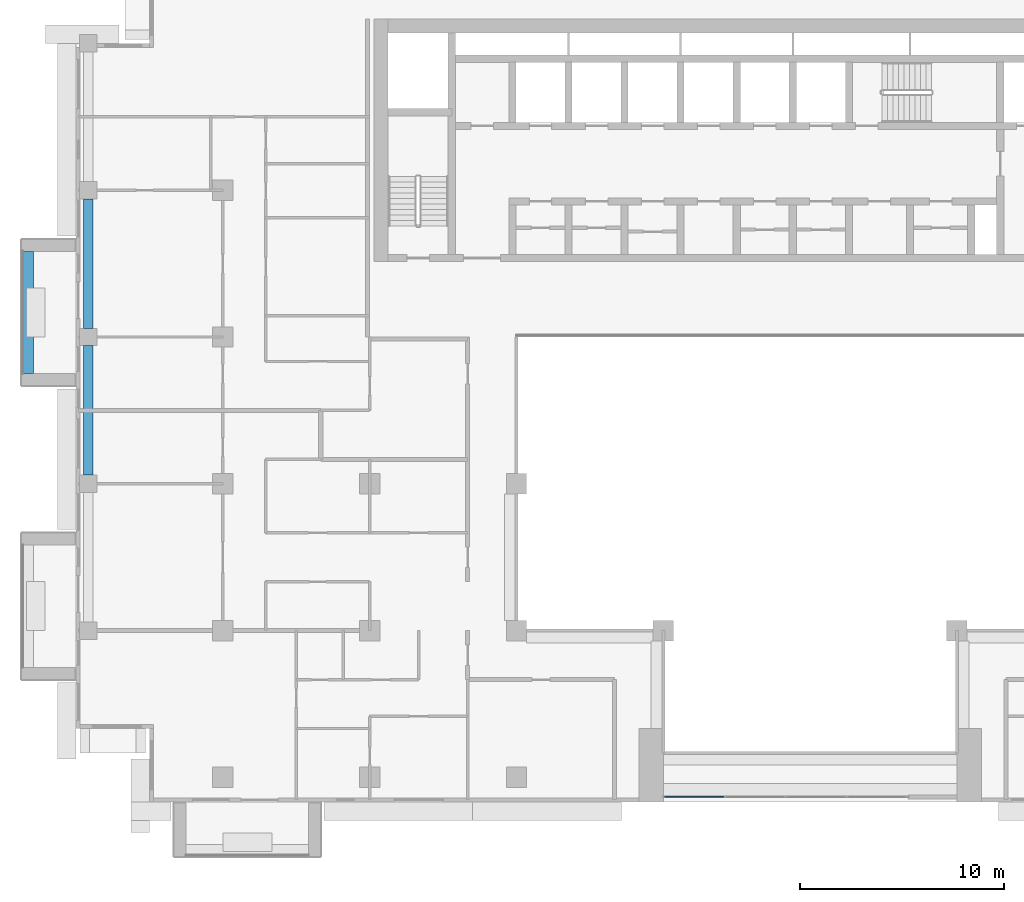
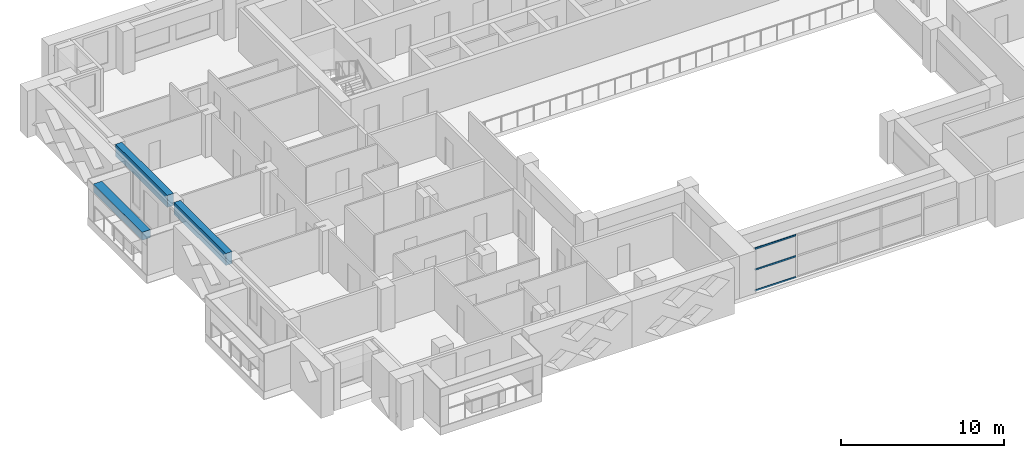
# One storey, part 3 of 20: 3 beams, 3 members, 1 element without a shape of its own.
"""IFC4 building model written with IfcOpenShell, lengths in metres."""

from ifc_helpers import new_model, si_unit, direction, frame, origin, origin_2d, place, context, subcontext, project, spatial, rectangle, extrude, source, transform, mapped, material, layer, layer_set, material_profile, profile_set, type_object, element, aggregate, save


model = new_model("IFC4")

# Units and contexts
model_context = context("Model", 3, precision=1e-05, world=origin(), true_north=direction((0.0, 1.0)))
body_context = subcontext(model_context, "Body", "Model", "MODEL_VIEW")
ifc_project = project(units=[si_unit("LENGTHUNIT", "METRE"), si_unit("AREAUNIT", "SQUARE_METRE"), si_unit("VOLUMEUNIT", "CUBIC_METRE"), si_unit("PLANEANGLEUNIT", "RADIAN"), si_unit("MASSUNIT", "GRAM", prefix="KILO")], contexts=[model_context])

# Site, building, storey
site_placement = place(None, origin())
site = spatial("IfcSite", under=ifc_project, at=site_placement, CompositionType="ELEMENT")
building_placement = place(site_placement, origin())
building = spatial("IfcBuilding", under=site, at=building_placement, Name="Saffron Iwan Residences", CompositionType="ELEMENT")
storey_placement = place(building_placement, frame((0.0, 0.0, 157.0)))
storey = spatial("IfcBuildingStorey", under=building, at=storey_placement, Name="L41", CompositionType="ELEMENT", Elevation=157.0)

# Beams
ifc_material_1 = material(Name="Concrete C50/60", Category="concrete")
ifc_material_profile_1 = material_profile(ifc_material_1, rectangle(XDim=0.449951171875, YDim=0.89990234375, at=origin_2d()), Name="RC 450x900")
ifc_profile_set_1 = profile_set([ifc_material_profile_1], Name="Concrete C50/60")
beam_type_1 = type_object("IfcBeamType", Name="SPANDREL BEAM RC 450x900 C50/60 TOP 3200", PredefinedType="SPANDREL", material=ifc_profile_set_1)
shared_shape_1 = source(origin(), body_context, "Body", "SweptSolid", [
    extrude(rectangle(XDim=0.449951171875, YDim=0.89990234375, at=origin_2d()), origin(), (0.0, 0.0, 1.0), 6.35009765625),
])
for number, where, z_axis, x_axis, name in (
    (1, (15.0, 55.625, 2.75), (0.0, 1.0, 0.0), (-1.0, 0.0, 0.0), "Spandrel beam"),
    (2, (15.0, 62.824951171875, 2.75), (0.0, 1.0, 0.0), (-1.0, 0.0, 0.0), "Spandrel beam"),
):
    element("IfcBeam", number, at=place(storey_placement, frame(where, z_axis=z_axis, x_axis=x_axis)), inside=storey, type_object=beam_type_1, Name=name, PredefinedType="SPANDREL", context=body_context, shape_type="MappedRepresentation", body=[
        mapped(shared_shape_1, transform((0.0, 0.0, 0.0))),
    ])

# Curtain wall, members
ifc_material_2 = material(Name="Clear glass, laminated double glazed", Category="glass")
ifc_layer = layer(ifc_material_2, 0.199951171875)
ifc_layer_set = layer_set([ifc_layer], Name="Clear glass, laminated double glazed")
curtain_wall_type = type_object("IfcCurtainWallType", Name="CW-B IWAN PORTAL", PredefinedType="NOTDEFINED", material=ifc_layer_set)
curtain_wall_placement = place(storey_placement, origin())
curtain_wall = element("IfcCurtainWall", 3, at=curtain_wall_placement, inside=storey, type_object=curtain_wall_type, Name="Iwan portal glazing L41.1", PredefinedType="NOTDEFINED")
ifc_material_3 = material(Name="Aluminium 6063-T6", Category="aluminium")
ifc_material_profile_2 = material_profile(ifc_material_3, rectangle(XDim=0.06005859375, YDim=0.1201171875, at=origin_2d()), Name="CW-B TRANSOM 60 x 120")
ifc_profile_set_2 = profile_set([ifc_material_profile_2], Name="Aluminium 6063-T6")
member_type = type_object("IfcMemberType", Name="CW-B TRANSOM 60 x 120", PredefinedType="USERDEFINED", material=ifc_profile_set_2)
shared_shape_2 = source(origin(), body_context, "Body", "SweptSolid", [
    extrude(rectangle(XDim=0.06005859375, YDim=0.1201171875, at=origin_2d()), origin(), (0.0, 0.0, 1.0), 2.909912109375),
])
member_1_placement = place(storey_placement, frame((43.260009765625, 39.85009765625, 0.030029296875), z_axis=(1.0, 0.0, 0.0), x_axis=(0.0, 1.0, 0.0)))
member_1 = element("IfcMember", 4, at=member_1_placement, type_object=member_type, Name="CW-B transom 1.1", ObjectType="TRANSOM", PredefinedType="USERDEFINED", context=body_context, shape_type="MappedRepresentation", body=[
    mapped(shared_shape_2, transform((0.0, 0.0, 0.0))),
])
member_2_placement = place(storey_placement, frame((43.260009765625, 39.85009765625, 1.60009765625), z_axis=(1.0, 0.0, 0.0), x_axis=(0.0, 1.0, 0.0)))
member_2 = element("IfcMember", 5, at=member_2_placement, type_object=member_type, Name="CW-B transom 1.2", ObjectType="TRANSOM", PredefinedType="USERDEFINED", context=body_context, shape_type="MappedRepresentation", body=[
    mapped(shared_shape_2, transform((0.0, 0.0, 0.0))),
])
member_3_placement = place(storey_placement, frame((43.260009765625, 39.85009765625, 3.169921875), z_axis=(1.0, 0.0, 0.0), x_axis=(0.0, 1.0, 0.0)))
member_3 = element("IfcMember", 6, at=member_3_placement, type_object=member_type, Name="CW-B transom 1.3", ObjectType="TRANSOM", PredefinedType="USERDEFINED", context=body_context, shape_type="MappedRepresentation", body=[
    mapped(shared_shape_2, transform((0.0, 0.0, 0.0))),
])
aggregate(curtain_wall, [member_1, member_2, member_3])

# Beam
ifc_material_4 = material(Name="Concrete C50/60 white painted", Category="concrete")
ifc_material_profile_3 = material_profile(ifc_material_4, rectangle(XDim=0.60009765625, YDim=0.60009765625, at=origin_2d()), Name="BALCONY FASCIA BEAM 600 x 600")
ifc_profile_set_3 = profile_set([ifc_material_profile_3], Name="Concrete C50/60 white painted")
beam_type_2 = type_object("IfcBeamType", Name="BALCONY FASCIA BEAM 600 x 600", PredefinedType="BEAM", material=ifc_profile_set_3)
shared_shape_3 = source(origin(), body_context, "Body", "SweptSolid", [
    extrude(rectangle(XDim=0.60009765625, YDim=0.60009765625, at=origin_2d()), origin(), (0.0, 0.0, 1.0), 6.0),
])
beam_placement = place(storey_placement, frame((12.0, 66.60009765625, 2.550048828125), z_axis=(0.0, -1.0, 0.0), x_axis=(1.0, 0.0, 0.0)))
element("IfcBeam", 7, at=beam_placement, inside=storey, type_object=beam_type_2, Name="Balcony fascia beam L41 F8-0", PredefinedType="BEAM", context=body_context, shape_type="MappedRepresentation", body=[
    mapped(shared_shape_3, transform((0.0, 0.0, 0.0))),
])

save(model, "model.ifc")
